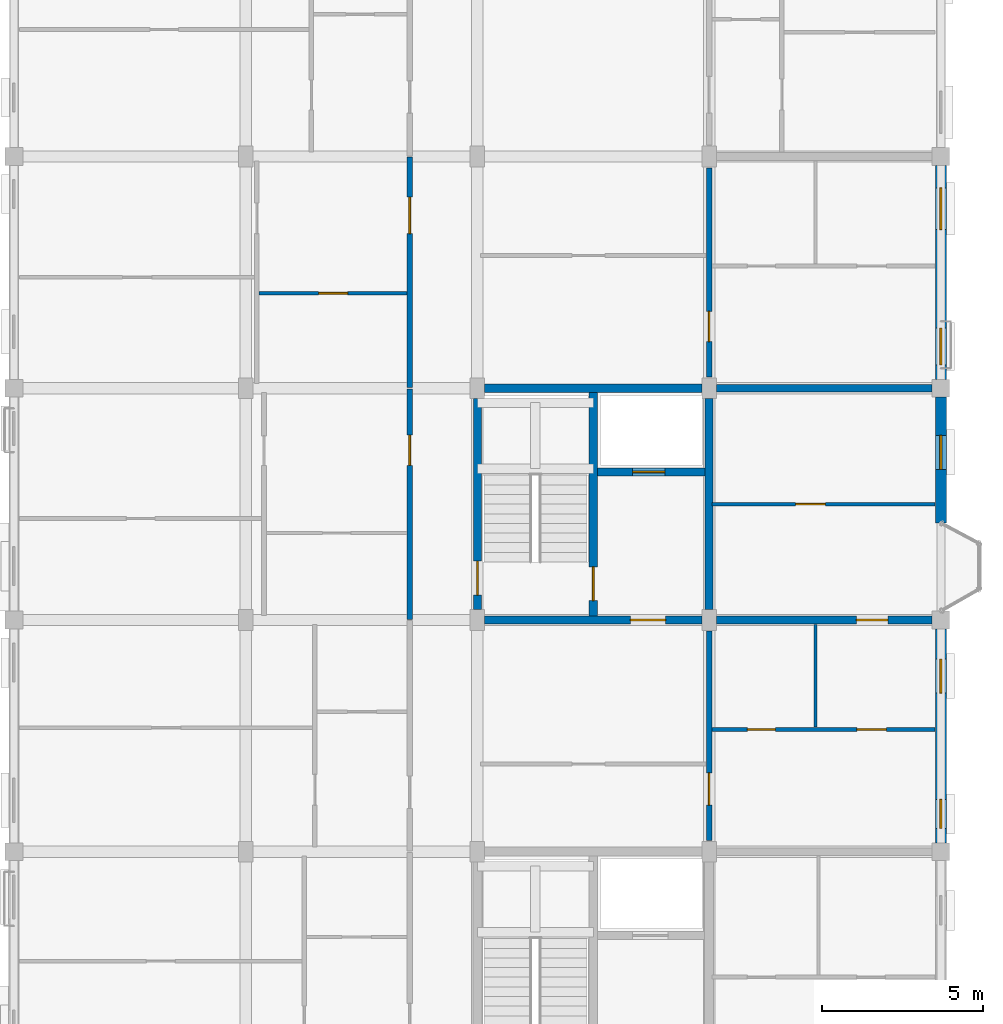
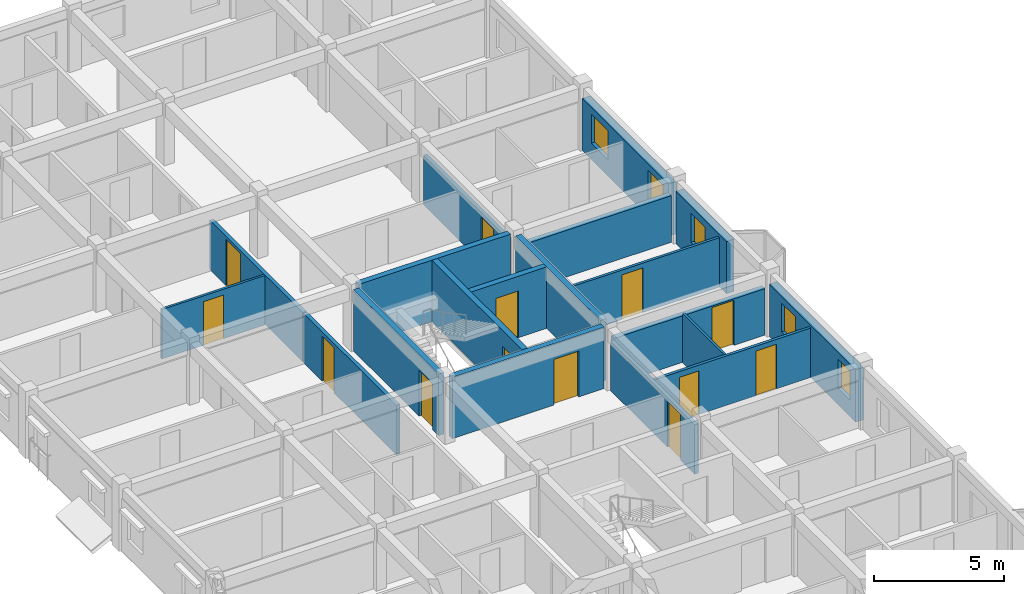
# One storey, part 57 of 75: 19 walls, 13 doors, 5 windows, 18 openings.
"""IFC4 building model written with IfcOpenShell, lengths in metres."""

from ifc_helpers import new_model, si_unit, direction, frame, frame_2d, origin, place, context, subcontext, project, spatial, rectangle, extrude, material, layer, layer_set, type_object, element, fill, save


model = new_model("IFC4")

# Units and contexts
model_context = context("Model", 3, precision=1e-05, world=origin(), true_north=direction((0.0, 1.0)))
body_context = subcontext(model_context, "Body", "Model", "MODEL_VIEW")
ifc_project = project(units=[si_unit("LENGTHUNIT", "METRE"), si_unit("AREAUNIT", "SQUARE_METRE"), si_unit("VOLUMEUNIT", "CUBIC_METRE"), si_unit("PLANEANGLEUNIT", "RADIAN"), si_unit("MASSUNIT", "GRAM", prefix="KILO"), si_unit("THERMODYNAMICTEMPERATUREUNIT", "KELVIN"), si_unit("POWERUNIT", "WATT")], contexts=[model_context])

# Site, building, storey
site_placement = place(None, origin())
site = spatial("IfcSite", under=ifc_project, at=site_placement, CompositionType="ELEMENT")
building_placement = place(site_placement, origin())
building = spatial("IfcBuilding", under=site, at=building_placement, Name="Tavuni Mirador Residences", CompositionType="ELEMENT")
storey_placement = place(building_placement, frame((0.0, 0.0, 20.25)))
storey = spatial("IfcBuildingStorey", under=building, at=storey_placement, Name="L06", CompositionType="ELEMENT", Elevation=20.25)

# Wall, opening, door
ifc_material_1 = material(Name="Precast concrete C40/50", Category="concrete")
ifc_layer_1 = layer(ifc_material_1, 0.25, Name="Precast concrete C40/50", Category="concrete")
ifc_layer_set_1 = layer_set([ifc_layer_1], Name="Precast concrete C40/50")
wall_type_1 = type_object("IfcWallType", Name="WT-COR250", PredefinedType="SHEAR", material=ifc_layer_set_1)
wall_1_placement = place(storey_placement, frame((104.39990234375, 108.324951171875, 0.0), z_axis=(0.0, 0.0, 1.0), x_axis=(0.0, 1.0, 0.0)))
wall_1 = element("IfcWall", 1, at=wall_1_placement, inside=storey, type_object=wall_type_1, Name="CWALL-C8-L06-W", PredefinedType="SHEAR", context=body_context, shape_type="SweptSolid", body=[
    extrude(rectangle(XDim=6.550048828125, YDim=0.25, at=frame_2d((3.27490234375, 0.0))), origin(), (0.0, 0.0, 1.0), 2.889892578125),
])
opening_1_placement = place(wall_1_placement, frame((0.449951171875, 0.0, 0.0)))
opening_1 = element("IfcOpeningElement", 2, at=opening_1_placement, cuts=wall_1, Name="Opening D-01", PredefinedType="OPENING", context=body_context, shape_type="SweptSolid", body=[
    extrude(rectangle(XDim=1.050048828125, YDim=2.14990234375, at=frame_2d((0.52490234375, 1.074951171875))), frame((0.0, 0.135009765625, 0.0), z_axis=(0.0, -1.0, 0.0), x_axis=(1.0, 0.0, 0.0)), (0.0, 0.0, 1.0), 0.27001953125),
])
ifc_material_2 = material(Name="Solid core iroko timber", Category="wood")
door_type_1 = type_object("IfcDoorType", Name="DT-ST1050", OperationType="NOTDEFINED", PredefinedType="DOOR", material=ifc_material_2)
door_1_placement = place(opening_1_placement, origin())
door_1 = element("IfcDoor", 3, at=door_1_placement, inside=storey, type_object=door_type_1, Name="DR-2337", OperationType="SINGLE_SWING_RIGHT", OverallHeight=2.14990234375, OverallWidth=1.050048828125, PredefinedType="DOOR", context=body_context, shape_type="SweptSolid", body=[
    extrude(rectangle(XDim=1.050048828125, YDim=2.14990234375, at=frame_2d((0.52490234375, 1.074951171875))), frame((0.0, 0.02490234375, 0.0), z_axis=(0.0, -1.0, 0.0), x_axis=(1.0, 0.0, 0.0)), (0.0, 0.0, 1.0), 0.050048828125),
])
fill(opening_1, door_1)

# Walls
wall_2_placement = place(storey_placement, frame((104.625, 115.199951171875, 0.0), z_axis=(0.0, 0.0, 1.0), x_axis=(1.0, 0.0, 0.0)))
element("IfcWall", 4, at=wall_2_placement, inside=storey, type_object=wall_type_1, Name="CWALL-C8-L06-N", PredefinedType="SHEAR", context=body_context, shape_type="SweptSolid", body=[
    extrude(rectangle(XDim=6.75, YDim=0.25, at=frame_2d((3.375, 0.0))), origin(), (0.0, 0.0, 1.0), 2.889892578125),
])
wall_3_placement = place(storey_placement, frame((111.60009765625, 108.324951171875, 0.0), z_axis=(0.0, 0.0, 1.0), x_axis=(0.0, 1.0, 0.0)))
element("IfcWall", 5, at=wall_3_placement, inside=storey, type_object=wall_type_1, Name="CWALL-C8-L06-E", PredefinedType="SHEAR", context=body_context, shape_type="SweptSolid", body=[
    extrude(rectangle(XDim=6.550048828125, YDim=0.25, at=frame_2d((3.27490234375, 0.0))), origin(), (0.0, 0.0, 1.0), 2.889892578125),
])

# Wall, opening, door
wall_4_placement = place(storey_placement, frame((104.625, 108.0, 0.0), z_axis=(0.0, 0.0, 1.0), x_axis=(1.0, 0.0, 0.0)))
wall_4 = element("IfcWall", 6, at=wall_4_placement, inside=storey, type_object=wall_type_1, Name="CWALL-C8-L06-SS", PredefinedType="SHEAR", context=body_context, shape_type="SweptSolid", body=[
    extrude(rectangle(XDim=6.75, YDim=0.25, at=frame_2d((3.375, 0.0))), origin(), (0.0, 0.0, 1.0), 2.889892578125),
])
opening_2_placement = place(wall_4_placement, frame((4.52490234375, 0.0, 0.0)))
opening_2 = element("IfcOpeningElement", 7, at=opening_2_placement, cuts=wall_4, Name="Opening D-02", PredefinedType="OPENING", context=body_context, shape_type="SweptSolid", body=[
    extrude(rectangle(XDim=1.10009765625, YDim=2.14990234375, at=frame_2d((0.550048828125, 1.074951171875))), frame((0.0, 0.135009765625, 0.0), z_axis=(0.0, -1.0, 0.0), x_axis=(1.0, 0.0, 0.0)), (0.0, 0.0, 1.0), 0.27001953125),
])
door_type_2 = type_object("IfcDoorType", Name="DT-LOB1100", OperationType="NOTDEFINED", PredefinedType="DOOR", material=ifc_material_2)
door_2_placement = place(opening_2_placement, frame((1.10009765625, 0.0, 0.0), z_axis=(0.0, 0.0, 1.0), x_axis=(-1.0, 0.0, 0.0)))
door_2 = element("IfcDoor", 8, at=door_2_placement, inside=storey, type_object=door_type_2, Name="DR-2338", OperationType="SINGLE_SWING_RIGHT", OverallHeight=2.14990234375, OverallWidth=1.10009765625, PredefinedType="DOOR", context=body_context, shape_type="SweptSolid", body=[
    extrude(rectangle(XDim=1.10009765625, YDim=2.14990234375, at=frame_2d((0.550048828125, 1.074951171875))), frame((0.0, 0.02490234375, 0.0), z_axis=(0.0, -1.0, 0.0), x_axis=(1.0, 0.0, 0.0)), (0.0, 0.0, 1.0), 0.050048828125),
])
fill(opening_2, door_2)

wall_5_placement = place(storey_placement, frame((108.0, 108.125, 0.0), z_axis=(0.0, 0.0, 1.0), x_axis=(0.0, 1.0, 0.0)))
wall_5 = element("IfcWall", 9, at=wall_5_placement, inside=storey, type_object=wall_type_1, Name="CWALL-C8-L06-MID", PredefinedType="SHEAR", context=body_context, shape_type="SweptSolid", body=[
    extrude(rectangle(XDim=6.949951171875, YDim=0.25, at=frame_2d((3.47509765625, 0.0))), origin(), (0.0, 0.0, 1.0), 2.889892578125),
])
opening_3_placement = place(wall_5_placement, frame((0.47509765625, 0.0, 0.0)))
opening_3 = element("IfcOpeningElement", 10, at=opening_3_placement, cuts=wall_5, Name="Opening D-01", PredefinedType="OPENING", context=body_context, shape_type="SweptSolid", body=[
    extrude(rectangle(XDim=1.050048828125, YDim=2.14990234375, at=frame_2d((0.52490234375, 1.074951171875))), frame((0.0, 0.135009765625, 0.0), z_axis=(0.0, -1.0, 0.0), x_axis=(1.0, 0.0, 0.0)), (0.0, 0.0, 1.0), 0.27001953125),
])
door_3_placement = place(opening_3_placement, origin())
door_3 = element("IfcDoor", 11, at=door_3_placement, inside=storey, type_object=door_type_1, Name="DR-2339", OperationType="SINGLE_SWING_LEFT", OverallHeight=2.14990234375, OverallWidth=1.050048828125, PredefinedType="DOOR", context=body_context, shape_type="SweptSolid", body=[
    extrude(rectangle(XDim=1.050048828125, YDim=2.14990234375, at=frame_2d((0.52490234375, 1.074951171875))), frame((0.0, 0.02490234375, 0.0), z_axis=(0.0, -1.0, 0.0), x_axis=(1.0, 0.0, 0.0)), (0.0, 0.0, 1.0), 0.050048828125),
])
fill(opening_3, door_3)

wall_6_placement = place(storey_placement, frame((108.125, 112.60009765625, 0.0), z_axis=(0.0, 0.0, 1.0), x_axis=(1.0, 0.0, 0.0)))
wall_6 = element("IfcWall", 12, at=wall_6_placement, inside=storey, type_object=wall_type_1, Name="CWALL-C8-L06-SHF", PredefinedType="SHEAR", context=body_context, shape_type="SweptSolid", body=[
    extrude(rectangle(XDim=3.35009765625, YDim=0.25, at=frame_2d((1.675048828125, 0.0))), origin(), (0.0, 0.0, 1.0), 2.889892578125),
])
opening_4_placement = place(wall_6_placement, frame((1.10009765625, 0.0, 0.0)))
opening_4 = element("IfcOpeningElement", 13, at=opening_4_placement, cuts=wall_6, Name="Opening LD-02", PredefinedType="OPENING", context=body_context, shape_type="SweptSolid", body=[
    extrude(rectangle(XDim=1.0, YDim=2.199951171875, at=frame_2d((0.5, 1.10009765625))), frame((0.0, 0.135009765625, 0.0), z_axis=(0.0, -1.0, 0.0), x_axis=(1.0, 0.0, 0.0)), (0.0, 0.0, 1.0), 0.27001953125),
])
ifc_material_3 = material(Name="Structural steel S355", Category="steel")
door_type_3 = type_object("IfcDoorType", Name="DT-LD-PAX", OperationType="SLIDING_TO_LEFT", PredefinedType="DOOR", material=ifc_material_3)
door_4_placement = place(opening_4_placement, origin())
door_4 = element("IfcDoor", 14, at=door_4_placement, inside=storey, type_object=door_type_3, Name="Lift landing door PL-D1 L06", OperationType="SLIDING_TO_LEFT", OverallHeight=2.199951171875, OverallWidth=1.0, PredefinedType="DOOR", context=body_context, shape_type="SweptSolid", body=[
    extrude(rectangle(XDim=1.0, YDim=2.199951171875, at=frame_2d((0.5, 1.10009765625))), frame((0.0, 0.02490234375, 0.0), z_axis=(0.0, -1.0, 0.0), x_axis=(1.0, 0.0, 0.0)), (0.0, 0.0, 1.0), 0.050048828125),
])
fill(opening_4, door_4)

ifc_layer_2 = layer(ifc_material_1, 0.1650390625, Name="Precast concrete C40/50", Category="concrete")
ifc_layer_set_2 = layer_set([ifc_layer_2], Name="Precast concrete C40/50")
wall_type_2 = type_object("IfcWallType", Name="WT-CORR165", PredefinedType="PARTITIONING", material=ifc_layer_set_2)
wall_7_placement = place(storey_placement, frame((102.300048828125, 108.02001953125, 0.0), z_axis=(0.0, 0.0, 1.0), x_axis=(0.0, 1.0, 0.0)))
wall_7 = element("IfcWall", 15, at=wall_7_placement, inside=storey, type_object=wall_type_2, Name="CORW-BLK-D-L06-0-03", PredefinedType="PARTITIONING", context=body_context, shape_type="SweptSolid", body=[
    extrude(rectangle(XDim=7.159912109375, YDim=0.1650390625, at=frame_2d((3.580078125, 0.0))), origin(), (0.0, 0.0, 1.0), 2.324951171875),
])
opening_5_placement = place(wall_7_placement, frame((4.780029296875, 0.0, 0.0)))
opening_5 = element("IfcOpeningElement", 16, at=opening_5_placement, cuts=wall_7, Name="Opening D-19", PredefinedType="OPENING", context=body_context, shape_type="SweptSolid", body=[
    extrude(rectangle(XDim=0.93994140625, YDim=2.1201171875, at=frame_2d((0.469970703125, 1.06005859375))), frame((0.0, 0.092529296875, 0.0), z_axis=(0.0, -1.0, 0.0), x_axis=(1.0, 0.0, 0.0)), (0.0, 0.0, 1.0), 0.18505859375),
])
door_type_4 = type_object("IfcDoorType", Name="DT-FD60-940", OperationType="NOTDEFINED", PredefinedType="DOOR", material=ifc_material_2)
door_5_placement = place(opening_5_placement, origin())
door_5 = element("IfcDoor", 17, at=door_5_placement, inside=storey, type_object=door_type_4, Name="DR-2884", OperationType="SINGLE_SWING_LEFT", OverallHeight=2.1201171875, OverallWidth=0.93994140625, PredefinedType="DOOR", context=body_context, shape_type="SweptSolid", body=[
    extrude(rectangle(XDim=0.93994140625, YDim=2.1201171875, at=frame_2d((0.469970703125, 1.06005859375))), frame((0.0, 0.02490234375, 0.0), z_axis=(0.0, -1.0, 0.0), x_axis=(1.0, 0.0, 0.0)), (0.0, 0.0, 1.0), 0.050048828125),
])
fill(opening_5, door_5)

wall_8_placement = place(storey_placement, frame((102.300048828125, 115.219970703125, 0.0), z_axis=(0.0, 0.0, 1.0), x_axis=(0.0, 1.0, 0.0)))
wall_8 = element("IfcWall", 18, at=wall_8_placement, inside=storey, type_object=wall_type_2, Name="CORW-BLK-D-L06-0-04", PredefinedType="PARTITIONING", context=body_context, shape_type="SweptSolid", body=[
    extrude(rectangle(XDim=7.159912109375, YDim=0.1650390625, at=frame_2d((3.580078125, 0.0))), origin(), (0.0, 0.0, 1.0), 2.324951171875),
])
opening_6_placement = place(wall_8_placement, frame((4.780029296875, 0.0, 0.0)))
opening_6 = element("IfcOpeningElement", 19, at=opening_6_placement, cuts=wall_8, Name="Opening D-20", PredefinedType="OPENING", context=body_context, shape_type="SweptSolid", body=[
    extrude(rectangle(XDim=1.139892578125, YDim=2.179931640625, at=frame_2d((0.56982421875, 1.08984375))), frame((0.0, 0.092529296875, 0.0), z_axis=(0.0, -1.0, 0.0), x_axis=(1.0, 0.0, 0.0)), (0.0, 0.0, 1.0), 0.18505859375),
])
door_type_5 = type_object("IfcDoorType", Name="DT-FD60-1140", OperationType="NOTDEFINED", PredefinedType="DOOR", material=ifc_material_2)
door_6_placement = place(opening_6_placement, origin())
door_6 = element("IfcDoor", 20, at=door_6_placement, inside=storey, type_object=door_type_5, Name="DR-2885", OperationType="SINGLE_SWING_RIGHT", OverallHeight=2.179931640625, OverallWidth=1.139892578125, PredefinedType="DOOR", context=body_context, shape_type="SweptSolid", body=[
    extrude(rectangle(XDim=1.139892578125, YDim=2.179931640625, at=frame_2d((0.56982421875, 1.08984375))), frame((0.0, 0.02490234375, 0.0), z_axis=(0.0, -1.0, 0.0), x_axis=(1.0, 0.0, 0.0)), (0.0, 0.0, 1.0), 0.050048828125),
])
fill(opening_6, door_6)

wall_9_placement = place(storey_placement, frame((111.60009765625, 101.14990234375, 0.0), z_axis=(0.0, 0.0, 1.0), x_axis=(0.0, 1.0, 0.0)))
wall_9 = element("IfcWall", 21, at=wall_9_placement, inside=storey, type_object=wall_type_2, Name="CORW-BLK-D-L06-1-02", PredefinedType="PARTITIONING", context=body_context, shape_type="SweptSolid", body=[
    extrude(rectangle(XDim=6.5, YDim=0.1650390625, at=frame_2d((3.25, 0.0))), origin(), (0.0, 0.0, 1.0), 2.324951171875),
])
opening_7_placement = place(wall_9_placement, frame((1.10009765625, 0.0, 0.0)))
opening_7 = element("IfcOpeningElement", 22, at=opening_7_placement, cuts=wall_9, Name="Opening D-03", PredefinedType="OPENING", context=body_context, shape_type="SweptSolid", body=[
    extrude(rectangle(XDim=1.0, YDim=2.14990234375, at=frame_2d((0.5, 1.074951171875))), frame((0.0, 0.092529296875, 0.0), z_axis=(0.0, -1.0, 0.0), x_axis=(1.0, 0.0, 0.0)), (0.0, 0.0, 1.0), 0.18505859375),
])
door_type_6 = type_object("IfcDoorType", Name="DT-FD60-1000", OperationType="NOTDEFINED", PredefinedType="DOOR", material=ifc_material_2)
door_7_placement = place(opening_7_placement, origin())
door_7 = element("IfcDoor", 23, at=door_7_placement, inside=storey, type_object=door_type_6, Name="DR-2889", OperationType="SINGLE_SWING_RIGHT", OverallHeight=2.14990234375, OverallWidth=1.0, PredefinedType="DOOR", context=body_context, shape_type="SweptSolid", body=[
    extrude(rectangle(XDim=1.0, YDim=2.14990234375, at=frame_2d((0.5, 1.074951171875))), frame((0.0, 0.02490234375, 0.0), z_axis=(0.0, -1.0, 0.0), x_axis=(1.0, 0.0, 0.0)), (0.0, 0.0, 1.0), 0.050048828125),
])
fill(opening_7, door_7)

wall_10_placement = place(storey_placement, frame((111.60009765625, 115.550048828125, 0.0), z_axis=(0.0, 0.0, 1.0), x_axis=(0.0, 1.0, 0.0)))
wall_10 = element("IfcWall", 24, at=wall_10_placement, inside=storey, type_object=wall_type_2, Name="CORW-BLK-D-L06-1-04", PredefinedType="PARTITIONING", context=body_context, shape_type="SweptSolid", body=[
    extrude(rectangle(XDim=6.5, YDim=0.1650390625, at=frame_2d((3.25, 0.0))), origin(), (0.0, 0.0, 1.0), 2.324951171875),
])
opening_8_placement = place(wall_10_placement, frame((1.10009765625, 0.0, 0.0)))
opening_8 = element("IfcOpeningElement", 25, at=opening_8_placement, cuts=wall_10, Name="Opening D-19", PredefinedType="OPENING", context=body_context, shape_type="SweptSolid", body=[
    extrude(rectangle(XDim=0.93994140625, YDim=2.1201171875, at=frame_2d((0.469970703125, 1.06005859375))), frame((0.0, 0.092529296875, 0.0), z_axis=(0.0, -1.0, 0.0), x_axis=(1.0, 0.0, 0.0)), (0.0, 0.0, 1.0), 0.18505859375),
])
door_8_placement = place(opening_8_placement, origin())
door_8 = element("IfcDoor", 26, at=door_8_placement, inside=storey, type_object=door_type_4, Name="DR-2890", OperationType="SINGLE_SWING_LEFT", OverallHeight=2.1201171875, OverallWidth=0.93994140625, PredefinedType="DOOR", context=body_context, shape_type="SweptSolid", body=[
    extrude(rectangle(XDim=0.93994140625, YDim=2.1201171875, at=frame_2d((0.469970703125, 1.06005859375))), frame((0.0, 0.02490234375, 0.0), z_axis=(0.0, -1.0, 0.0), x_axis=(1.0, 0.0, 0.0)), (0.0, 0.0, 1.0), 0.050048828125),
])
fill(opening_8, door_8)

# Wall, openings, windows
ifc_material_4 = material(Name="Sgraffito lime-rendered precast concrete C40/50", Category="concrete")
ifc_layer_3 = layer(ifc_material_4, 0.344970703125, Name="Sgraffito lime-rendered precast concrete C40/50", Category="concrete")
ifc_layer_set_3 = layer_set([ifc_layer_3], Name="Sgraffito lime-rendered precast concrete C40/50")
wall_type_3 = type_object("IfcWallType", Name="WT-EXT-PTY345", PredefinedType="SOLIDWALL", material=ifc_layer_set_3)
wall_11_placement = place(storey_placement, frame((118.800048828125, 101.074951171875, 0.0), z_axis=(0.0, 0.0, 1.0), x_axis=(0.0, 1.0, 0.0)))
wall_11 = element("IfcWall", 27, at=wall_11_placement, inside=storey, type_object=wall_type_3, Name="EW-BLK-D-L06-E02", PredefinedType="SOLIDWALL", context=body_context, shape_type="SweptSolid", body=[
    extrude(rectangle(XDim=6.650146484375, YDim=0.344970703125, at=frame_2d((3.3251953125, 0.0))), origin(), (0.0, 0.0, 1.0), 2.4599609375),
])
opening_9_placement = place(wall_11_placement, frame((0.449951171875, 0.0, 0.780029296875)))
opening_9 = element("IfcOpeningElement", 28, at=opening_9_placement, cuts=wall_11, Name="Opening WN-17", PredefinedType="OPENING", context=body_context, shape_type="SweptSolid", body=[
    extrude(rectangle(XDim=0.89990234375, YDim=1.360107421875, at=frame_2d((0.449951171875, 0.68017578125))), frame((0.0, 0.1826171875, 0.0), z_axis=(0.0, -1.0, 0.0), x_axis=(1.0, 0.0, 0.0)), (0.0, 0.0, 1.0), 0.364990234375),
])
opening_10_placement = place(wall_11_placement, frame((4.64990234375, 0.0, 0.780029296875)))
opening_10 = element("IfcOpeningElement", 29, at=opening_10_placement, cuts=wall_11, Name="Opening WN-19", PredefinedType="OPENING", context=body_context, shape_type="SweptSolid", body=[
    extrude(rectangle(XDim=1.06005859375, YDim=1.360107421875, at=frame_2d((0.530029296875, 0.68017578125))), frame((0.0, 0.1826171875, 0.0), z_axis=(0.0, -1.0, 0.0), x_axis=(1.0, 0.0, 0.0)), (0.0, 0.0, 1.0), 0.364990234375),
])
ifc_material_5 = material(Name="Laminated solar-control glass", Category="glass")
window_type_1 = type_object("IfcWindowType", Name="WNT-17", PartitioningType="SINGLE_PANEL", PredefinedType="WINDOW", material=ifc_material_5)
window_1_placement = place(opening_9_placement, origin())
window_1 = element("IfcWindow", 30, at=window_1_placement, inside=storey, type_object=window_type_1, Name="WIN-1660", OverallHeight=1.360107421875, OverallWidth=0.89990234375, PartitioningType="SINGLE_PANEL", PredefinedType="WINDOW", context=body_context, shape_type="SweptSolid", body=[
    extrude(rectangle(XDim=0.89990234375, YDim=1.360107421875, at=frame_2d((0.449951171875, 0.68017578125))), frame((0.0, 0.030029296875, 0.0), z_axis=(0.0, -1.0, 0.0), x_axis=(1.0, 0.0, 0.0)), (0.0, 0.0, 1.0), 0.06005859375),
])
fill(opening_9, window_1)
window_type_2 = type_object("IfcWindowType", Name="WNT-19", PartitioningType="SINGLE_PANEL", PredefinedType="WINDOW", material=ifc_material_5)
window_2_placement = place(opening_10_placement, origin())
window_2 = element("IfcWindow", 31, at=window_2_placement, inside=storey, type_object=window_type_2, Name="WIN-1661", OverallHeight=1.360107421875, OverallWidth=1.06005859375, PartitioningType="SINGLE_PANEL", PredefinedType="WINDOW", context=body_context, shape_type="SweptSolid", body=[
    extrude(rectangle(XDim=1.06005859375, YDim=1.360107421875, at=frame_2d((0.530029296875, 0.68017578125))), frame((0.0, 0.030029296875, 0.0), z_axis=(0.0, -1.0, 0.0), x_axis=(1.0, 0.0, 0.0)), (0.0, 0.0, 1.0), 0.06005859375),
])
fill(opening_10, window_2)

# Wall, opening, window
wall_12_placement = place(storey_placement, frame((118.800048828125, 111.02001953125, 0.0), z_axis=(0.0, 0.0, 1.0), x_axis=(0.0, 1.0, 0.0)))
wall_12 = element("IfcWall", 32, at=wall_12_placement, inside=storey, type_object=wall_type_3, Name="EW-BLK-D-L06-E03", PredefinedType="SOLIDWALL", context=body_context, shape_type="SweptSolid", body=[
    extrude(rectangle(XDim=3.905029296875, YDim=0.344970703125, at=frame_2d((1.95263671875, 0.0))), origin(), (0.0, 0.0, 1.0), 2.4599609375),
])
opening_11_placement = place(wall_12_placement, frame((1.657470703125, 0.0, 0.780029296875)))
opening_11 = element("IfcOpeningElement", 33, at=opening_11_placement, cuts=wall_12, Name="Opening WN-19", PredefinedType="OPENING", context=body_context, shape_type="SweptSolid", body=[
    extrude(rectangle(XDim=1.06005859375, YDim=1.360107421875, at=frame_2d((0.530029296875, 0.68017578125))), frame((0.0, 0.1826171875, 0.0), z_axis=(0.0, -1.0, 0.0), x_axis=(1.0, 0.0, 0.0)), (0.0, 0.0, 1.0), 0.364990234375),
])
window_3_placement = place(opening_11_placement, origin())
window_3 = element("IfcWindow", 34, at=window_3_placement, inside=storey, type_object=window_type_2, Name="WIN-1662", OverallHeight=1.360107421875, OverallWidth=1.06005859375, PartitioningType="SINGLE_PANEL", PredefinedType="WINDOW", context=body_context, shape_type="SweptSolid", body=[
    extrude(rectangle(XDim=1.06005859375, YDim=1.360107421875, at=frame_2d((0.530029296875, 0.68017578125))), frame((0.0, 0.030029296875, 0.0), z_axis=(0.0, -1.0, 0.0), x_axis=(1.0, 0.0, 0.0)), (0.0, 0.0, 1.0), 0.06005859375),
])
fill(opening_11, window_3)

# Wall, openings, windows
wall_13_placement = place(storey_placement, frame((118.800048828125, 115.47509765625, 0.0), z_axis=(0.0, 0.0, 1.0), x_axis=(0.0, 1.0, 0.0)))
wall_13 = element("IfcWall", 35, at=wall_13_placement, inside=storey, type_object=wall_type_3, Name="EW-BLK-D-L06-E04", PredefinedType="SOLIDWALL", context=body_context, shape_type="SweptSolid", body=[
    extrude(rectangle(XDim=6.64990234375, YDim=0.344970703125, at=frame_2d((3.324951171875, 0.0))), origin(), (0.0, 0.0, 1.0), 2.4599609375),
])
opening_12_placement = place(wall_13_placement, frame((0.449951171875, 0.0, 0.780029296875)))
opening_12 = element("IfcOpeningElement", 36, at=opening_12_placement, cuts=wall_13, Name="Opening WN-20", PredefinedType="OPENING", context=body_context, shape_type="SweptSolid", body=[
    extrude(rectangle(XDim=1.139892578125, YDim=1.360107421875, at=frame_2d((0.56982421875, 0.68017578125))), frame((0.0, 0.1826171875, 0.0), z_axis=(0.0, -1.0, 0.0), x_axis=(1.0, 0.0, 0.0)), (0.0, 0.0, 1.0), 0.364990234375),
])
opening_13_placement = place(wall_13_placement, frame((4.64990234375, 0.0, 0.780029296875)))
opening_13 = element("IfcOpeningElement", 37, at=opening_13_placement, cuts=wall_13, Name="Opening WN-22", PredefinedType="OPENING", context=body_context, shape_type="SweptSolid", body=[
    extrude(rectangle(XDim=1.300048828125, YDim=1.360107421875, at=frame_2d((0.64990234375, 0.68017578125))), frame((0.0, 0.1826171875, 0.0), z_axis=(0.0, -1.0, 0.0), x_axis=(1.0, 0.0, 0.0)), (0.0, 0.0, 1.0), 0.364990234375),
])
window_type_3 = type_object("IfcWindowType", Name="WNT-20", PartitioningType="SINGLE_PANEL", PredefinedType="WINDOW", material=ifc_material_5)
window_4_placement = place(opening_12_placement, origin())
window_4 = element("IfcWindow", 38, at=window_4_placement, inside=storey, type_object=window_type_3, Name="WIN-1663", OverallHeight=1.360107421875, OverallWidth=1.139892578125, PartitioningType="SINGLE_PANEL", PredefinedType="WINDOW", context=body_context, shape_type="SweptSolid", body=[
    extrude(rectangle(XDim=1.139892578125, YDim=1.360107421875, at=frame_2d((0.56982421875, 0.68017578125))), frame((0.0, 0.030029296875, 0.0), z_axis=(0.0, -1.0, 0.0), x_axis=(1.0, 0.0, 0.0)), (0.0, 0.0, 1.0), 0.06005859375),
])
fill(opening_12, window_4)
window_type_4 = type_object("IfcWindowType", Name="WNT-22", PartitioningType="SINGLE_PANEL", PredefinedType="WINDOW", material=ifc_material_5)
window_5_placement = place(opening_13_placement, origin())
window_5 = element("IfcWindow", 39, at=window_5_placement, inside=storey, type_object=window_type_4, Name="WIN-1664", OverallHeight=1.360107421875, OverallWidth=1.300048828125, PartitioningType="SINGLE_PANEL", PredefinedType="WINDOW", context=body_context, shape_type="SweptSolid", body=[
    extrude(rectangle(XDim=1.300048828125, YDim=1.360107421875, at=frame_2d((0.64990234375, 0.68017578125))), frame((0.0, 0.030029296875, 0.0), z_axis=(0.0, -1.0, 0.0), x_axis=(1.0, 0.0, 0.0)), (0.0, 0.0, 1.0), 0.06005859375),
])
fill(opening_13, window_5)

# Wall
ifc_material_6 = material(Name="Acoustic gypsum and concrete block partition", Category="concrete")
ifc_layer_4 = layer(ifc_material_6, 0.094970703125, Name="Acoustic gypsum and concrete block partition", Category="concrete")
ifc_layer_set_4 = layer_set([ifc_layer_4], Name="Acoustic gypsum and concrete block partition")
wall_type_4 = type_object("IfcWallType", Name="WT-PART095", PredefinedType="PARTITIONING", material=ifc_layer_set_4)
wall_14_placement = place(storey_placement, frame((114.89990234375, 104.669921875, 0.0), z_axis=(0.0, 0.0, 1.0), x_axis=(0.0, 1.0, 0.0)))
element("IfcWall", 40, at=wall_14_placement, inside=storey, type_object=wall_type_4, Name="PW-BLK-D-L06-PF02-V", PredefinedType="PARTITIONING", context=body_context, shape_type="SweptSolid", body=[
    extrude(rectangle(XDim=3.190185546875, YDim=0.094970703125, at=frame_2d((1.59521484375, 0.0))), origin(), (0.0, 0.0, 1.0), 2.324951171875),
])

# Wall, opening, door
ifc_layer_5 = layer(ifc_material_6, 0.10498046875, Name="Acoustic gypsum and concrete block partition", Category="concrete")
ifc_layer_set_5 = layer_set([ifc_layer_5], Name="Acoustic gypsum and concrete block partition")
wall_type_5 = type_object("IfcWallType", Name="WT-PART105", PredefinedType="PARTITIONING", material=ifc_layer_set_5)
wall_15_placement = place(storey_placement, frame((97.6201171875, 118.14990234375, 0.0), z_axis=(0.0, 0.0, 1.0), x_axis=(1.0, 0.0, 0.0)))
wall_15 = element("IfcWall", 41, at=wall_15_placement, inside=storey, type_object=wall_type_5, Name="PW-BLK-D-L06-W04-IN1", PredefinedType="PARTITIONING", context=body_context, shape_type="SweptSolid", body=[
    extrude(rectangle(XDim=4.58984375, YDim=0.10498046875, at=frame_2d((2.294921875, 0.0))), origin(), (0.0, 0.0, 1.0), 2.324951171875),
])
opening_14_placement = place(wall_15_placement, frame((1.844970703125, 0.0, 0.0)))
opening_14 = element("IfcOpeningElement", 42, at=opening_14_placement, cuts=wall_15, Name="Opening D-09", PredefinedType="OPENING", context=body_context, shape_type="SweptSolid", body=[
    extrude(rectangle(XDim=0.89990234375, YDim=2.050048828125, at=frame_2d((0.449951171875, 1.02490234375))), frame((0.0, 0.0625, 0.0), z_axis=(0.0, -1.0, 0.0), x_axis=(1.0, 0.0, 0.0)), (0.0, 0.0, 1.0), 0.125),
])
door_type_7 = type_object("IfcDoorType", Name="DT-WC900", OperationType="NOTDEFINED", PredefinedType="DOOR", material=ifc_material_2)
door_9_placement = place(opening_14_placement, origin())
door_9 = element("IfcDoor", 43, at=door_9_placement, inside=storey, type_object=door_type_7, Name="DR-4533", OperationType="SINGLE_SWING_RIGHT", OverallHeight=2.050048828125, OverallWidth=0.89990234375, PredefinedType="DOOR", context=body_context, shape_type="SweptSolid", body=[
    extrude(rectangle(XDim=0.89990234375, YDim=2.050048828125, at=frame_2d((0.449951171875, 1.02490234375))), frame((0.0, 0.02490234375, 0.0), z_axis=(0.0, -1.0, 0.0), x_axis=(1.0, 0.0, 0.0)), (0.0, 0.0, 1.0), 0.050048828125),
])
fill(opening_14, door_9)

ifc_layer_6 = layer(ifc_material_6, 0.114990234375, Name="Acoustic gypsum and concrete block partition", Category="concrete")
ifc_layer_set_6 = layer_set([ifc_layer_6], Name="Acoustic gypsum and concrete block partition")
wall_type_6 = type_object("IfcWallType", Name="WT-PART115", PredefinedType="PARTITIONING", material=ifc_layer_set_6)
wall_16_placement = place(storey_placement, frame((111.68994140625, 111.60009765625, 0.0), z_axis=(0.0, 0.0, 1.0), x_axis=(1.0, 0.0, 0.0)))
wall_16 = element("IfcWall", 44, at=wall_16_placement, inside=storey, type_object=wall_type_6, Name="PW-BLK-D-L06-PF03-H", PredefinedType="PARTITIONING", context=body_context, shape_type="SweptSolid", body=[
    extrude(rectangle(XDim=6.93505859375, YDim=0.114990234375, at=frame_2d((3.467529296875, 0.0))), origin(), (0.0, 0.0, 1.0), 2.324951171875),
])
opening_15_placement = place(wall_16_placement, frame((2.60009765625, 0.0, 0.0)))
opening_15 = element("IfcOpeningElement", 45, at=opening_15_placement, cuts=wall_16, Name="Opening D-06", PredefinedType="OPENING", context=body_context, shape_type="SweptSolid", body=[
    extrude(rectangle(XDim=0.919921875, YDim=2.10009765625, at=frame_2d((0.4599609375, 1.050048828125))), frame((0.0, 0.0673828125, 0.0), z_axis=(0.0, -1.0, 0.0), x_axis=(1.0, 0.0, 0.0)), (0.0, 0.0, 1.0), 0.135009765625),
])
door_type_8 = type_object("IfcDoorType", Name="DT-INT920", OperationType="NOTDEFINED", PredefinedType="DOOR", material=ifc_material_2)
door_10_placement = place(opening_15_placement, origin())
door_10 = element("IfcDoor", 46, at=door_10_placement, inside=storey, type_object=door_type_8, Name="DR-4530", OperationType="SINGLE_SWING_RIGHT", OverallHeight=2.10009765625, OverallWidth=0.919921875, PredefinedType="DOOR", context=body_context, shape_type="SweptSolid", body=[
    extrude(rectangle(XDim=0.919921875, YDim=2.10009765625, at=frame_2d((0.4599609375, 1.050048828125))), frame((0.0, 0.02490234375, 0.0), z_axis=(0.0, -1.0, 0.0), x_axis=(1.0, 0.0, 0.0)), (0.0, 0.0, 1.0), 0.050048828125),
])
fill(opening_15, door_10)

# Wall, openings, doors
ifc_layer_7 = layer(ifc_material_6, 0.125, Name="Acoustic gypsum and concrete block partition", Category="concrete")
ifc_layer_set_7 = layer_set([ifc_layer_7], Name="Acoustic gypsum and concrete block partition")
wall_type_7 = type_object("IfcWallType", Name="WT-PART125", PredefinedType="PARTITIONING", material=ifc_layer_set_7)
wall_17_placement = place(storey_placement, frame((111.68994140625, 104.60009765625, 0.0), z_axis=(0.0, 0.0, 1.0), x_axis=(1.0, 0.0, 0.0)))
wall_17 = element("IfcWall", 47, at=wall_17_placement, inside=storey, type_object=wall_type_7, Name="PW-BLK-D-L06-PF02-H", PredefinedType="PARTITIONING", context=body_context, shape_type="SweptSolid", body=[
    extrude(rectangle(XDim=6.93505859375, YDim=0.125, at=frame_2d((3.467529296875, 0.0))), origin(), (0.0, 0.0, 1.0), 2.324951171875),
])
opening_16_placement = place(wall_17_placement, frame((1.10009765625, 0.0, 0.0)))
opening_16 = element("IfcOpeningElement", 48, at=opening_16_placement, cuts=wall_17, Name="Opening D-10", PredefinedType="OPENING", context=body_context, shape_type="SweptSolid", body=[
    extrude(rectangle(XDim=0.8701171875, YDim=2.050048828125, at=frame_2d((0.43505859375, 1.02490234375))), frame((0.0, 0.072509765625, 0.0), z_axis=(0.0, -1.0, 0.0), x_axis=(1.0, 0.0, 0.0)), (0.0, 0.0, 1.0), 0.14501953125),
])
opening_17_placement = place(wall_17_placement, frame((4.5, 0.0, 0.0)))
opening_17 = element("IfcOpeningElement", 49, at=opening_17_placement, cuts=wall_17, Name="Opening D-06", PredefinedType="OPENING", context=body_context, shape_type="SweptSolid", body=[
    extrude(rectangle(XDim=0.919921875, YDim=2.10009765625, at=frame_2d((0.4599609375, 1.050048828125))), frame((0.0, 0.072509765625, 0.0), z_axis=(0.0, -1.0, 0.0), x_axis=(1.0, 0.0, 0.0)), (0.0, 0.0, 1.0), 0.14501953125),
])
door_11_placement = place(opening_17_placement, origin())
door_11 = element("IfcDoor", 50, at=door_11_placement, inside=storey, type_object=door_type_8, Name="DR-4526", OperationType="SINGLE_SWING_RIGHT", OverallHeight=2.10009765625, OverallWidth=0.919921875, PredefinedType="DOOR", context=body_context, shape_type="SweptSolid", body=[
    extrude(rectangle(XDim=0.919921875, YDim=2.10009765625, at=frame_2d((0.4599609375, 1.050048828125))), frame((0.0, 0.02490234375, 0.0), z_axis=(0.0, -1.0, 0.0), x_axis=(1.0, 0.0, 0.0)), (0.0, 0.0, 1.0), 0.050048828125),
])
fill(opening_17, door_11)
door_type_9 = type_object("IfcDoorType", Name="DT-WC870", OperationType="NOTDEFINED", PredefinedType="DOOR", material=ifc_material_2)
door_12_placement = place(opening_16_placement, origin())
door_12 = element("IfcDoor", 51, at=door_12_placement, inside=storey, type_object=door_type_9, Name="DR-4525", OperationType="SINGLE_SWING_LEFT", OverallHeight=2.050048828125, OverallWidth=0.8701171875, PredefinedType="DOOR", context=body_context, shape_type="SweptSolid", body=[
    extrude(rectangle(XDim=0.8701171875, YDim=2.050048828125, at=frame_2d((0.43505859375, 1.02490234375))), frame((0.0, 0.02490234375, 0.0), z_axis=(0.0, -1.0, 0.0), x_axis=(1.0, 0.0, 0.0)), (0.0, 0.0, 1.0), 0.050048828125),
])
fill(opening_16, door_12)

# Wall, opening, door
ifc_layer_8 = layer(ifc_material_1, 0.235107421875, Name="Precast concrete C40/50", Category="concrete")
ifc_layer_set_8 = layer_set([ifc_layer_8], Name="Precast concrete C40/50")
wall_type_8 = type_object("IfcWallType", Name="WT-XW235", PredefinedType="SOLIDWALL", material=ifc_layer_set_8)
wall_18_placement = place(storey_placement, frame((111.824951171875, 108.0, 0.0), z_axis=(0.0, 0.0, 1.0), x_axis=(1.0, 0.0, 0.0)))
wall_18 = element("IfcWall", 52, at=wall_18_placement, inside=storey, type_object=wall_type_8, Name="XW-BLK-D-L06-E-03", PredefinedType="SOLIDWALL", context=body_context, shape_type="SweptSolid", body=[
    extrude(rectangle(XDim=6.699951171875, YDim=0.235107421875, at=frame_2d((3.35009765625, 0.0))), origin(), (0.0, 0.0, 1.0), 2.18994140625),
])
opening_18_placement = place(wall_18_placement, frame((4.35009765625, 0.0, 0.0)))
opening_18 = element("IfcOpeningElement", 53, at=opening_18_placement, cuts=wall_18, Name="Opening D-04", PredefinedType="OPENING", context=body_context, shape_type="SweptSolid", body=[
    extrude(rectangle(XDim=0.97998046875, YDim=2.1201171875, at=frame_2d((0.489990234375, 1.06005859375))), frame((0.0, 0.12744140625, 0.0), z_axis=(0.0, -1.0, 0.0), x_axis=(1.0, 0.0, 0.0)), (0.0, 0.0, 1.0), 0.255126953125),
])
door_type_10 = type_object("IfcDoorType", Name="DT-FD60-980", OperationType="NOTDEFINED", PredefinedType="DOOR", material=ifc_material_2)
door_13_placement = place(opening_18_placement, origin())
door_13 = element("IfcDoor", 54, at=door_13_placement, inside=storey, type_object=door_type_10, Name="DR-4771", OperationType="SINGLE_SWING_RIGHT", OverallHeight=2.1201171875, OverallWidth=0.97998046875, PredefinedType="DOOR", context=body_context, shape_type="SweptSolid", body=[
    extrude(rectangle(XDim=0.97998046875, YDim=2.1201171875, at=frame_2d((0.489990234375, 1.06005859375))), frame((0.0, 0.02490234375, 0.0), z_axis=(0.0, -1.0, 0.0), x_axis=(1.0, 0.0, 0.0)), (0.0, 0.0, 1.0), 0.050048828125),
])
fill(opening_18, door_13)

# Wall
wall_19_placement = place(storey_placement, frame((111.824951171875, 115.199951171875, 0.0), z_axis=(0.0, 0.0, 1.0), x_axis=(1.0, 0.0, 0.0)))
element("IfcWall", 55, at=wall_19_placement, inside=storey, type_object=wall_type_8, Name="XW-BLK-D-L06-E-04", PredefinedType="SOLIDWALL", context=body_context, shape_type="SweptSolid", body=[
    extrude(rectangle(XDim=6.699951171875, YDim=0.235107421875, at=frame_2d((3.35009765625, 0.0))), origin(), (0.0, 0.0, 1.0), 2.18994140625),
])

save(model, "model.ifc")
